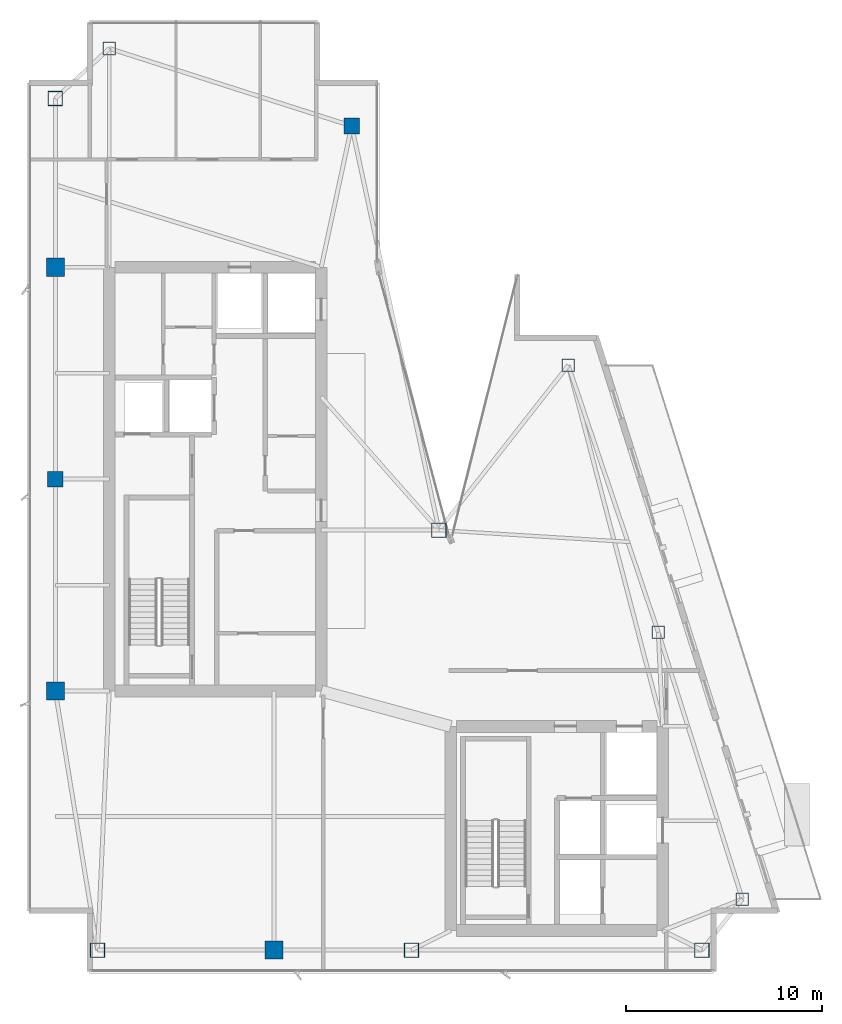
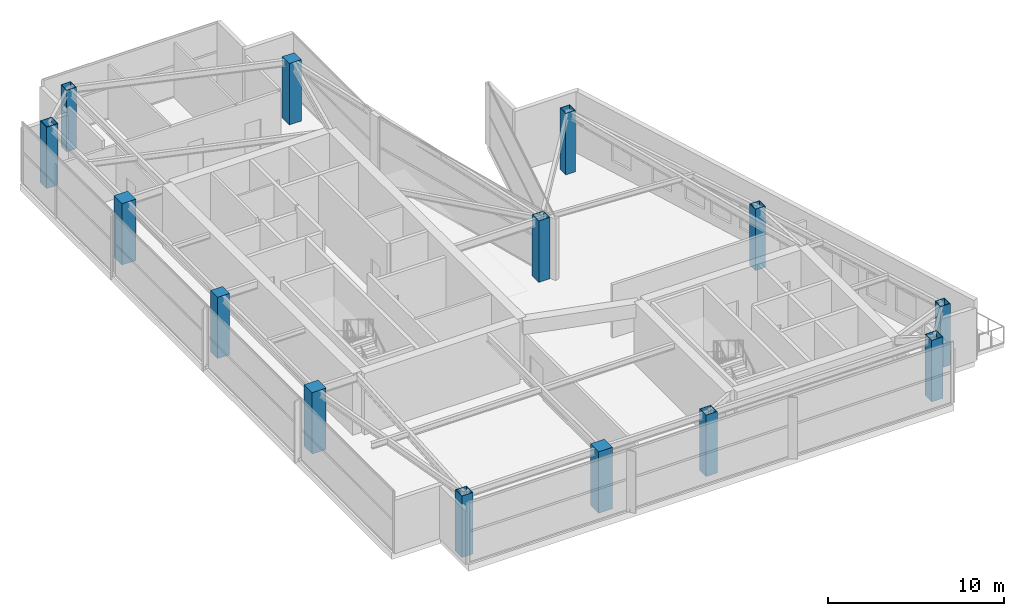
# One storey, part 1 of 25: 14 columns.
"""IFC4 building model written with IfcOpenShell, lengths in metres."""

from ifc_helpers import new_model, si_unit, direction, frame, origin, origin_2d, place, context, subcontext, project, spatial, rectangle, hollow_rectangle, extrude, material, material_profile, profile_set, type_object, element, save


model = new_model("IFC4")

# Units and contexts
model_context = context("Model", 3, precision=1e-05, world=origin(), true_north=direction((0.0, 1.0)))
body_context = subcontext(model_context, "Body", "Model", "MODEL_VIEW")
ifc_project = project(units=[si_unit("LENGTHUNIT", "METRE"), si_unit("AREAUNIT", "SQUARE_METRE"), si_unit("VOLUMEUNIT", "CUBIC_METRE"), si_unit("PLANEANGLEUNIT", "RADIAN"), si_unit("MASSUNIT", "GRAM", prefix="KILO")], contexts=[model_context])

# Site, building, storey
site_placement = place(None, origin())
site = spatial("IfcSite", under=ifc_project, at=site_placement, CompositionType="ELEMENT")
building_placement = place(site_placement, origin())
building = spatial("IfcBuilding", under=site, at=building_placement, Name="Calvorn Quay Hotel", CompositionType="ELEMENT")
storey_placement = place(building_placement, frame((0.0, 0.0, 307.0)))
storey = spatial("IfcBuildingStorey", under=building, at=storey_placement, Name="L76", CompositionType="ELEMENT", Elevation=307.0)

# Columns
ifc_material_1 = material(Name="Concrete C45", Category="concrete")
ifc_material_profile_1 = material_profile(ifc_material_1, rectangle(XDim=0.800048828125, YDim=0.800048828125, at=origin_2d()), Name="RC800x800")
ifc_profile_set_1 = profile_set([ifc_material_profile_1], Name="Concrete C45")
column_type_1 = type_object("IfcColumnType", Name="COL-RC-800", PredefinedType="COLUMN", material=ifc_profile_set_1)
for number, where, z_axis, x_axis, name in (
    (1, (1.449951171875, 27.60009765625, 0.0), (0.0, 0.0, 1.0), (1.0, 0.0, 0.0), "Column C-W3 (L76)"),
    (2, (16.550048828125, 45.60009765625, 0.0), (0.0, 0.0, 1.0), (1.0, 0.0, 0.0), "Column C-IC1 (L76)"),
):
    element("IfcColumn", number, at=place(storey_placement, frame(where, z_axis=z_axis, x_axis=x_axis)), inside=storey, type_object=column_type_1, Name=name, PredefinedType="COLUMN", context=body_context, shape_type="SweptSolid", body=[
        extrude(rectangle(XDim=0.800048828125, YDim=0.800048828125, at=origin_2d()), origin(), (0.0, 0.0, 1.0), 4.260009765625),
    ])
ifc_material_2 = material(Name="Concrete C45", Category="concrete")
ifc_material_profile_2 = material_profile(ifc_material_2, rectangle(XDim=0.919921875, YDim=0.919921875, at=origin_2d()), Name="RC920x920")
ifc_profile_set_2 = profile_set([ifc_material_profile_2], Name="Concrete C45")
column_type_2 = type_object("IfcColumnType", Name="COL-RC-920", PredefinedType="COLUMN", material=ifc_profile_set_2)
for number, where, z_axis, x_axis, name in (
    (3, (1.449951171875, 16.800048828125, 0.0), (0.0, 0.0, 1.0), (1.0, 0.0, 0.0), "Column C-W2 (L76)"),
    (4, (1.449951171875, 38.39990234375, 0.0), (0.0, 0.0, 1.0), (1.0, 0.0, 0.0), "Column C-W4 (L76)"),
    (5, (12.60009765625, 3.60009765625, 0.0), (0.0, 0.0, 1.0), (1.0, 0.0, 0.0), "Column C-S1 (L76)"),
):
    element("IfcColumn", number, at=place(storey_placement, frame(where, z_axis=z_axis, x_axis=x_axis)), inside=storey, type_object=column_type_2, Name=name, PredefinedType="COLUMN", context=body_context, shape_type="SweptSolid", body=[
        extrude(rectangle(XDim=0.919921875, YDim=0.919921875, at=origin_2d()), origin(), (0.0, 0.0, 1.0), 4.260009765625),
    ])
ifc_material_3 = material(Name="Steel Q390GJC", Category="steel")
ifc_material_profile_3 = material_profile(ifc_material_3, hollow_rectangle(XDim=0.75, YDim=0.75, WallThickness=0.031982421875, at=origin_2d()), Name="BOX750x750x32")
ifc_profile_set_3 = profile_set([ifc_material_profile_3], Name="Steel Q390GJC")
column_type_3 = type_object("IfcColumnType", Name="COL-STL-Z3", PredefinedType="COLUMN", material=ifc_profile_set_3)
for number, where, z_axis, x_axis, name in (
    (6, (3.60009765625, 3.60009765625, 0.0), (0.0, 0.0, 1.0), (1.0, 0.0, 0.0), "Column C-W1 (L76)"),
    (7, (1.449951171875, 47.0, 0.0), (0.0, 0.0, 1.0), (1.0, 0.0, 0.0), "Column C-W5 (L76)"),
    (8, (21.0, 25.0, 0.0), (0.0, 0.0, 1.0), (1.0, 0.0, 0.0), "Column C-IC2 (L76)"),
    (9, (19.60009765625, 3.60009765625, 0.0), (0.0, 0.0, 1.0), (1.0, 0.0, 0.0), "Column C-S2 (L76)"),
    (10, (34.39990234375, 3.60009765625, 0.0), (0.0, 0.0, 1.0), (1.0, 0.0, 0.0), "Column C-S3 (L76)"),
):
    element("IfcColumn", number, at=place(storey_placement, frame(where, z_axis=z_axis, x_axis=x_axis)), inside=storey, type_object=column_type_3, Name=name, PredefinedType="COLUMN", context=body_context, shape_type="SweptSolid", body=[
        extrude(hollow_rectangle(XDim=0.75, YDim=0.75, WallThickness=0.031982421875, at=origin_2d()), origin(), (0.0, 0.0, 1.0), 4.260009765625),
    ])
ifc_material_4 = material(Name="Steel Q355B", Category="steel")
ifc_material_profile_4 = material_profile(ifc_material_4, hollow_rectangle(XDim=0.64990234375, YDim=0.64990234375, WallThickness=0.028076171875, at=origin_2d()), Name="BOX650x650x28")
ifc_profile_set_4 = profile_set([ifc_material_profile_4], Name="Steel Q355B")
column_type_4 = type_object("IfcColumnType", Name="COL-STL-Z4", PredefinedType="COLUMN", material=ifc_profile_set_4)
for number, where, z_axis, x_axis, name in (
    (11, (4.199951171875, 49.550048828125, 0.0), (0.0, 0.0, 1.0), (1.0, 0.0, 0.0), "Column C-NW1 (L76)"),
    (12, (36.4609375, 6.199951171875, 0.0), (0.0, 0.0, 1.0), (1.0, 0.0, 0.0), "Column C-ET1 (L76)"),
    (13, (32.176025390625, 19.800048828125, 0.0), (0.0, 0.0, 1.0), (1.0, 0.0, 0.0), "Column C-ET2 (L76)"),
    (14, (27.591064453125, 33.39990234375, 0.0), (0.0, 0.0, 1.0), (1.0, 0.0, 0.0), "Column C-ET3 (L76)"),
):
    element("IfcColumn", number, at=place(storey_placement, frame(where, z_axis=z_axis, x_axis=x_axis)), inside=storey, type_object=column_type_4, Name=name, PredefinedType="COLUMN", context=body_context, shape_type="SweptSolid", body=[
        extrude(hollow_rectangle(XDim=0.64990234375, YDim=0.64990234375, WallThickness=0.028076171875, at=origin_2d()), origin(), (0.0, 0.0, 1.0), 4.260009765625),
    ])

save(model, "model.ifc")
